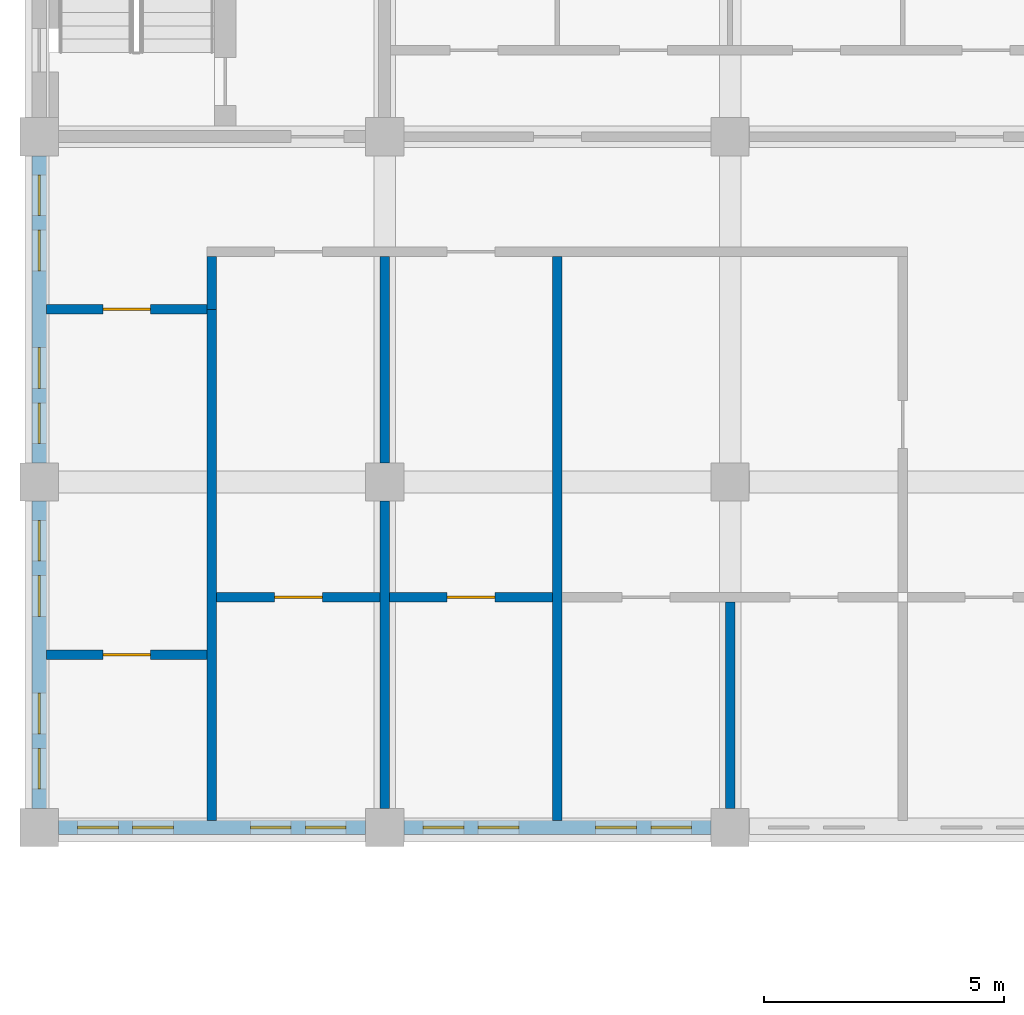
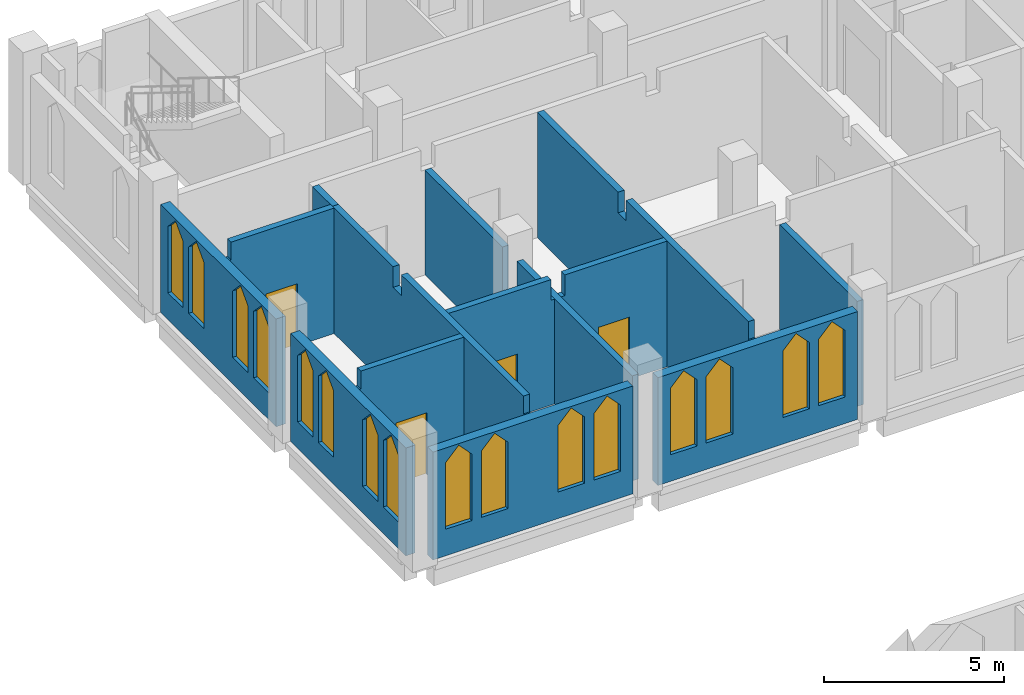
# One storey, part 5 of 11: 16 windows, 14 walls, 4 doors, 20 openings.
"""IFC4 building model written with IfcOpenShell, lengths in metres."""

from ifc_helpers import new_model, si_unit, direction, frame, frame_2d, origin, place, context, subcontext, project, spatial, polyline, rectangle, outline, extrude, material, layer, layer_set, type_object, element, fill, save


model = new_model("IFC4")

# Units and contexts
model_context = context("Model", 3, precision=1e-05, world=origin(), true_north=direction((0.0, 1.0)))
body_context = subcontext(model_context, "Body", "Model", "MODEL_VIEW")
ifc_project = project(units=[si_unit("LENGTHUNIT", "METRE"), si_unit("AREAUNIT", "SQUARE_METRE"), si_unit("VOLUMEUNIT", "CUBIC_METRE"), si_unit("PLANEANGLEUNIT", "RADIAN"), si_unit("MASSUNIT", "GRAM", prefix="KILO")], contexts=[model_context])

# Site, building, storey
site_placement = place(None, origin())
site = spatial("IfcSite", under=ifc_project, at=site_placement, CompositionType="ELEMENT")
building_placement = place(site_placement, origin())
building = spatial("IfcBuilding", under=site, at=building_placement, Name="Silangan Lancet Faculty of Sciences", CompositionType="ELEMENT")
storey_placement = place(building_placement, frame((0.0, 0.0, 45.300048828125)))
storey = spatial("IfcBuildingStorey", under=building, at=storey_placement, Name="L09", CompositionType="ELEMENT", Elevation=45.300048828125)

# Wall, openings, windows
ifc_material_1 = material(Name="Concrete C40/50 precast", Category="concrete")
ifc_layer_1 = layer(ifc_material_1, 0.300048828125)
ifc_layer_set_1 = layer_set([ifc_layer_1], Name="Concrete C40/50 precast")
wall_type_1 = type_object("IfcWallType", Name="EW1 Precast cladding wall", PredefinedType="STANDARD", material=ifc_layer_set_1)
wall_1_placement = place(storey_placement, frame((0.0, 36.39990234375, 0.0), z_axis=(0.0, 0.0, 1.0), x_axis=(0.0, 1.0, 0.0)))
wall_1 = element("IfcWall", 1, at=wall_1_placement, inside=storey, type_object=wall_type_1, Name="EW-L09-W-NT-00", PredefinedType="STANDARD", context=body_context, shape_type="SweptSolid", body=[
    extrude(rectangle(XDim=6.400146484375, YDim=0.300048828125, at=frame_2d((3.2001953125, 0.0))), origin(), (0.0, 0.0, 1.0), 3.64990234375),
])
opening_1_placement = place(wall_1_placement, frame((0.39990234375, 0.0, 0.89990234375)))
opening_1 = element("IfcOpeningElement", 2, at=opening_1_placement, cuts=wall_1, Name="Opening W21", PredefinedType="OPENING", context=body_context, shape_type="SweptSolid", body=[
    extrude(outline(polyline([(0.0, 0.0), (0.85009765625, 0.0), (0.85009765625, 2.25), (0.425048828125, 2.699951171875), (0.0, 2.25), (0.0, 0.0)])), frame((0.0, 0.159912109375, 0.0), z_axis=(0.0, -1.0, 0.0), x_axis=(1.0, 0.0, 0.0)), (0.0, 0.0, 1.0), 0.320068359375),
])
opening_2_placement = place(wall_1_placement, frame((1.550048828125, 0.0, 0.89990234375)))
opening_2 = element("IfcOpeningElement", 3, at=opening_2_placement, cuts=wall_1, Name="Opening W21", PredefinedType="OPENING", context=body_context, shape_type="SweptSolid", body=[
    extrude(outline(polyline([(0.0, 0.0), (0.85009765625, 0.0), (0.85009765625, 2.25), (0.425048828125, 2.699951171875), (0.0, 2.25), (0.0, 0.0)])), frame((0.0, 0.159912109375, 0.0), z_axis=(0.0, -1.0, 0.0), x_axis=(1.0, 0.0, 0.0)), (0.0, 0.0, 1.0), 0.320068359375),
])
opening_3_placement = place(wall_1_placement, frame((4.0, 0.0, 0.89990234375)))
opening_3 = element("IfcOpeningElement", 4, at=opening_3_placement, cuts=wall_1, Name="Opening W21", PredefinedType="OPENING", context=body_context, shape_type="SweptSolid", body=[
    extrude(outline(polyline([(0.0, 0.0), (0.85009765625, 0.0), (0.85009765625, 2.25), (0.425048828125, 2.699951171875), (0.0, 2.25), (0.0, 0.0)])), frame((0.0, 0.159912109375, 0.0), z_axis=(0.0, -1.0, 0.0), x_axis=(1.0, 0.0, 0.0)), (0.0, 0.0, 1.0), 0.320068359375),
])
opening_4_placement = place(wall_1_placement, frame((5.14990234375, 0.0, 0.89990234375)))
opening_4 = element("IfcOpeningElement", 5, at=opening_4_placement, cuts=wall_1, Name="Opening W21", PredefinedType="OPENING", context=body_context, shape_type="SweptSolid", body=[
    extrude(outline(polyline([(0.0, 0.0), (0.85009765625, 0.0), (0.85009765625, 2.25), (0.425048828125, 2.699951171875), (0.0, 2.25), (0.0, 0.0)])), frame((0.0, 0.159912109375, 0.0), z_axis=(0.0, -1.0, 0.0), x_axis=(1.0, 0.0, 0.0)), (0.0, 0.0, 1.0), 0.320068359375),
])
ifc_material_2 = material(Name="Aluminium frame, laminated double glazing", Category="aluminium")
window_type = type_object("IfcWindowType", Name="W21 Lancet window 850 x 2700", PartitioningType="SINGLE_PANEL", PredefinedType="WINDOW", material=ifc_material_2)
window_1_placement = place(opening_1_placement, origin())
window_1 = element("IfcWindow", 6, at=window_1_placement, inside=storey, type_object=window_type, Name="WIN-L09-W-NT-00a1", OverallHeight=2.699951171875, OverallWidth=0.85009765625, PartitioningType="SINGLE_PANEL", PredefinedType="WINDOW", context=body_context, shape_type="SweptSolid", body=[
    extrude(outline(polyline([(0.0, 0.0), (0.85009765625, 0.0), (0.85009765625, 2.25), (0.425048828125, 2.699951171875), (0.0, 2.25), (0.0, 0.0)])), frame((0.0, 0.030029296875, 0.0), z_axis=(0.0, -1.0, 0.0), x_axis=(1.0, 0.0, 0.0)), (0.0, 0.0, 1.0), 0.06005859375),
])
fill(opening_1, window_1)
window_2_placement = place(opening_2_placement, origin())
window_2 = element("IfcWindow", 7, at=window_2_placement, inside=storey, type_object=window_type, Name="WIN-L09-W-NT-00a2", OverallHeight=2.699951171875, OverallWidth=0.85009765625, PartitioningType="SINGLE_PANEL", PredefinedType="WINDOW", context=body_context, shape_type="SweptSolid", body=[
    extrude(outline(polyline([(0.0, 0.0), (0.85009765625, 0.0), (0.85009765625, 2.25), (0.425048828125, 2.699951171875), (0.0, 2.25), (0.0, 0.0)])), frame((0.0, 0.030029296875, 0.0), z_axis=(0.0, -1.0, 0.0), x_axis=(1.0, 0.0, 0.0)), (0.0, 0.0, 1.0), 0.06005859375),
])
fill(opening_2, window_2)
window_3_placement = place(opening_3_placement, origin())
window_3 = element("IfcWindow", 8, at=window_3_placement, inside=storey, type_object=window_type, Name="WIN-L09-W-NT-00b1", OverallHeight=2.699951171875, OverallWidth=0.85009765625, PartitioningType="SINGLE_PANEL", PredefinedType="WINDOW", context=body_context, shape_type="SweptSolid", body=[
    extrude(outline(polyline([(0.0, 0.0), (0.85009765625, 0.0), (0.85009765625, 2.25), (0.425048828125, 2.699951171875), (0.0, 2.25), (0.0, 0.0)])), frame((0.0, 0.030029296875, 0.0), z_axis=(0.0, -1.0, 0.0), x_axis=(1.0, 0.0, 0.0)), (0.0, 0.0, 1.0), 0.06005859375),
])
fill(opening_3, window_3)
window_4_placement = place(opening_4_placement, origin())
window_4 = element("IfcWindow", 9, at=window_4_placement, inside=storey, type_object=window_type, Name="WIN-L09-W-NT-00b2", OverallHeight=2.699951171875, OverallWidth=0.85009765625, PartitioningType="SINGLE_PANEL", PredefinedType="WINDOW", context=body_context, shape_type="SweptSolid", body=[
    extrude(outline(polyline([(0.0, 0.0), (0.85009765625, 0.0), (0.85009765625, 2.25), (0.425048828125, 2.699951171875), (0.0, 2.25), (0.0, 0.0)])), frame((0.0, 0.030029296875, 0.0), z_axis=(0.0, -1.0, 0.0), x_axis=(1.0, 0.0, 0.0)), (0.0, 0.0, 1.0), 0.06005859375),
])
fill(opening_4, window_4)

wall_2_placement = place(storey_placement, frame((0.0, 43.60009765625, 0.0), z_axis=(0.0, 0.0, 1.0), x_axis=(0.0, 1.0, 0.0)))
wall_2 = element("IfcWall", 10, at=wall_2_placement, inside=storey, type_object=wall_type_1, Name="EW-L09-W-NT-01", PredefinedType="STANDARD", context=body_context, shape_type="SweptSolid", body=[
    extrude(rectangle(XDim=6.39990234375, YDim=0.300048828125, at=frame_2d((3.199951171875, 0.0))), origin(), (0.0, 0.0, 1.0), 3.64990234375),
])
opening_5_placement = place(wall_2_placement, frame((0.39990234375, 0.0, 0.89990234375)))
opening_5 = element("IfcOpeningElement", 11, at=opening_5_placement, cuts=wall_2, Name="Opening W21", PredefinedType="OPENING", context=body_context, shape_type="SweptSolid", body=[
    extrude(outline(polyline([(0.0, 0.0), (0.85009765625, 0.0), (0.85009765625, 2.25), (0.425048828125, 2.699951171875), (0.0, 2.25), (0.0, 0.0)])), frame((0.0, 0.159912109375, 0.0), z_axis=(0.0, -1.0, 0.0), x_axis=(1.0, 0.0, 0.0)), (0.0, 0.0, 1.0), 0.320068359375),
])
opening_6_placement = place(wall_2_placement, frame((1.550048828125, 0.0, 0.89990234375)))
opening_6 = element("IfcOpeningElement", 12, at=opening_6_placement, cuts=wall_2, Name="Opening W21", PredefinedType="OPENING", context=body_context, shape_type="SweptSolid", body=[
    extrude(outline(polyline([(0.0, 0.0), (0.85009765625, 0.0), (0.85009765625, 2.25), (0.425048828125, 2.699951171875), (0.0, 2.25), (0.0, 0.0)])), frame((0.0, 0.159912109375, 0.0), z_axis=(0.0, -1.0, 0.0), x_axis=(1.0, 0.0, 0.0)), (0.0, 0.0, 1.0), 0.320068359375),
])
opening_7_placement = place(wall_2_placement, frame((4.0, 0.0, 0.89990234375)))
opening_7 = element("IfcOpeningElement", 13, at=opening_7_placement, cuts=wall_2, Name="Opening W21", PredefinedType="OPENING", context=body_context, shape_type="SweptSolid", body=[
    extrude(outline(polyline([(0.0, 0.0), (0.85009765625, 0.0), (0.85009765625, 2.25), (0.425048828125, 2.699951171875), (0.0, 2.25), (0.0, 0.0)])), frame((0.0, 0.159912109375, 0.0), z_axis=(0.0, -1.0, 0.0), x_axis=(1.0, 0.0, 0.0)), (0.0, 0.0, 1.0), 0.320068359375),
])
opening_8_placement = place(wall_2_placement, frame((5.14990234375, 0.0, 0.89990234375)))
opening_8 = element("IfcOpeningElement", 14, at=opening_8_placement, cuts=wall_2, Name="Opening W21", PredefinedType="OPENING", context=body_context, shape_type="SweptSolid", body=[
    extrude(outline(polyline([(0.0, 0.0), (0.85009765625, 0.0), (0.85009765625, 2.25), (0.425048828125, 2.699951171875), (0.0, 2.25), (0.0, 0.0)])), frame((0.0, 0.159912109375, 0.0), z_axis=(0.0, -1.0, 0.0), x_axis=(1.0, 0.0, 0.0)), (0.0, 0.0, 1.0), 0.320068359375),
])
window_5_placement = place(opening_5_placement, origin())
window_5 = element("IfcWindow", 15, at=window_5_placement, inside=storey, type_object=window_type, Name="WIN-L09-W-NT-01a1", OverallHeight=2.699951171875, OverallWidth=0.85009765625, PartitioningType="SINGLE_PANEL", PredefinedType="WINDOW", context=body_context, shape_type="SweptSolid", body=[
    extrude(outline(polyline([(0.0, 0.0), (0.85009765625, 0.0), (0.85009765625, 2.25), (0.425048828125, 2.699951171875), (0.0, 2.25), (0.0, 0.0)])), frame((0.0, 0.030029296875, 0.0), z_axis=(0.0, -1.0, 0.0), x_axis=(1.0, 0.0, 0.0)), (0.0, 0.0, 1.0), 0.06005859375),
])
fill(opening_5, window_5)
window_6_placement = place(opening_6_placement, origin())
window_6 = element("IfcWindow", 16, at=window_6_placement, inside=storey, type_object=window_type, Name="WIN-L09-W-NT-01a2", OverallHeight=2.699951171875, OverallWidth=0.85009765625, PartitioningType="SINGLE_PANEL", PredefinedType="WINDOW", context=body_context, shape_type="SweptSolid", body=[
    extrude(outline(polyline([(0.0, 0.0), (0.85009765625, 0.0), (0.85009765625, 2.25), (0.425048828125, 2.699951171875), (0.0, 2.25), (0.0, 0.0)])), frame((0.0, 0.030029296875, 0.0), z_axis=(0.0, -1.0, 0.0), x_axis=(1.0, 0.0, 0.0)), (0.0, 0.0, 1.0), 0.06005859375),
])
fill(opening_6, window_6)
window_7_placement = place(opening_7_placement, origin())
window_7 = element("IfcWindow", 17, at=window_7_placement, inside=storey, type_object=window_type, Name="WIN-L09-W-NT-01b1", OverallHeight=2.699951171875, OverallWidth=0.85009765625, PartitioningType="SINGLE_PANEL", PredefinedType="WINDOW", context=body_context, shape_type="SweptSolid", body=[
    extrude(outline(polyline([(0.0, 0.0), (0.85009765625, 0.0), (0.85009765625, 2.25), (0.425048828125, 2.699951171875), (0.0, 2.25), (0.0, 0.0)])), frame((0.0, 0.030029296875, 0.0), z_axis=(0.0, -1.0, 0.0), x_axis=(1.0, 0.0, 0.0)), (0.0, 0.0, 1.0), 0.06005859375),
])
fill(opening_7, window_7)
window_8_placement = place(opening_8_placement, origin())
window_8 = element("IfcWindow", 18, at=window_8_placement, inside=storey, type_object=window_type, Name="WIN-L09-W-NT-01b2", OverallHeight=2.699951171875, OverallWidth=0.85009765625, PartitioningType="SINGLE_PANEL", PredefinedType="WINDOW", context=body_context, shape_type="SweptSolid", body=[
    extrude(outline(polyline([(0.0, 0.0), (0.85009765625, 0.0), (0.85009765625, 2.25), (0.425048828125, 2.699951171875), (0.0, 2.25), (0.0, 0.0)])), frame((0.0, 0.030029296875, 0.0), z_axis=(0.0, -1.0, 0.0), x_axis=(1.0, 0.0, 0.0)), (0.0, 0.0, 1.0), 0.06005859375),
])
fill(opening_8, window_8)

wall_3_placement = place(storey_placement, frame((0.39990234375, 36.0, 0.0), z_axis=(0.0, 0.0, 1.0), x_axis=(1.0, 0.0, 0.0)))
wall_3 = element("IfcWall", 19, at=wall_3_placement, inside=storey, type_object=wall_type_1, Name="EW-L09-S-NT-00", PredefinedType="STANDARD", context=body_context, shape_type="SweptSolid", body=[
    extrude(rectangle(XDim=6.400146484375, YDim=0.300048828125, at=frame_2d((3.2001953125, 0.0))), origin(), (0.0, 0.0, 1.0), 3.64990234375),
])
opening_9_placement = place(wall_3_placement, frame((0.39990234375, 0.0, 0.89990234375)))
opening_9 = element("IfcOpeningElement", 20, at=opening_9_placement, cuts=wall_3, Name="Opening W21", PredefinedType="OPENING", context=body_context, shape_type="SweptSolid", body=[
    extrude(outline(polyline([(0.0, 0.0), (0.85009765625, 0.0), (0.85009765625, 2.25), (0.425048828125, 2.699951171875), (0.0, 2.25), (0.0, 0.0)])), frame((0.0, 0.159912109375, 0.0), z_axis=(0.0, -1.0, 0.0), x_axis=(1.0, 0.0, 0.0)), (0.0, 0.0, 1.0), 0.320068359375),
])
opening_10_placement = place(wall_3_placement, frame((1.550048828125, 0.0, 0.89990234375)))
opening_10 = element("IfcOpeningElement", 21, at=opening_10_placement, cuts=wall_3, Name="Opening W21", PredefinedType="OPENING", context=body_context, shape_type="SweptSolid", body=[
    extrude(outline(polyline([(0.0, 0.0), (0.85009765625, 0.0), (0.85009765625, 2.25), (0.425048828125, 2.699951171875), (0.0, 2.25), (0.0, 0.0)])), frame((0.0, 0.159912109375, 0.0), z_axis=(0.0, -1.0, 0.0), x_axis=(1.0, 0.0, 0.0)), (0.0, 0.0, 1.0), 0.320068359375),
])
opening_11_placement = place(wall_3_placement, frame((4.0, 0.0, 0.89990234375)))
opening_11 = element("IfcOpeningElement", 22, at=opening_11_placement, cuts=wall_3, Name="Opening W21", PredefinedType="OPENING", context=body_context, shape_type="SweptSolid", body=[
    extrude(outline(polyline([(0.0, 0.0), (0.85009765625, 0.0), (0.85009765625, 2.25), (0.425048828125, 2.699951171875), (0.0, 2.25), (0.0, 0.0)])), frame((0.0, 0.159912109375, 0.0), z_axis=(0.0, -1.0, 0.0), x_axis=(1.0, 0.0, 0.0)), (0.0, 0.0, 1.0), 0.320068359375),
])
opening_12_placement = place(wall_3_placement, frame((5.14990234375, 0.0, 0.89990234375)))
opening_12 = element("IfcOpeningElement", 23, at=opening_12_placement, cuts=wall_3, Name="Opening W21", PredefinedType="OPENING", context=body_context, shape_type="SweptSolid", body=[
    extrude(outline(polyline([(0.0, 0.0), (0.85009765625, 0.0), (0.85009765625, 2.25), (0.425048828125, 2.699951171875), (0.0, 2.25), (0.0, 0.0)])), frame((0.0, 0.159912109375, 0.0), z_axis=(0.0, -1.0, 0.0), x_axis=(1.0, 0.0, 0.0)), (0.0, 0.0, 1.0), 0.320068359375),
])
window_9_placement = place(opening_9_placement, origin())
window_9 = element("IfcWindow", 24, at=window_9_placement, inside=storey, type_object=window_type, Name="WIN-L09-S-NT-00a1", OverallHeight=2.699951171875, OverallWidth=0.85009765625, PartitioningType="SINGLE_PANEL", PredefinedType="WINDOW", context=body_context, shape_type="SweptSolid", body=[
    extrude(outline(polyline([(0.0, 0.0), (0.85009765625, 0.0), (0.85009765625, 2.25), (0.425048828125, 2.699951171875), (0.0, 2.25), (0.0, 0.0)])), frame((0.0, 0.030029296875, 0.0), z_axis=(0.0, -1.0, 0.0), x_axis=(1.0, 0.0, 0.0)), (0.0, 0.0, 1.0), 0.06005859375),
])
fill(opening_9, window_9)
window_10_placement = place(opening_10_placement, origin())
window_10 = element("IfcWindow", 25, at=window_10_placement, inside=storey, type_object=window_type, Name="WIN-L09-S-NT-00a2", OverallHeight=2.699951171875, OverallWidth=0.85009765625, PartitioningType="SINGLE_PANEL", PredefinedType="WINDOW", context=body_context, shape_type="SweptSolid", body=[
    extrude(outline(polyline([(0.0, 0.0), (0.85009765625, 0.0), (0.85009765625, 2.25), (0.425048828125, 2.699951171875), (0.0, 2.25), (0.0, 0.0)])), frame((0.0, 0.030029296875, 0.0), z_axis=(0.0, -1.0, 0.0), x_axis=(1.0, 0.0, 0.0)), (0.0, 0.0, 1.0), 0.06005859375),
])
fill(opening_10, window_10)
window_11_placement = place(opening_11_placement, origin())
window_11 = element("IfcWindow", 26, at=window_11_placement, inside=storey, type_object=window_type, Name="WIN-L09-S-NT-00b1", OverallHeight=2.699951171875, OverallWidth=0.85009765625, PartitioningType="SINGLE_PANEL", PredefinedType="WINDOW", context=body_context, shape_type="SweptSolid", body=[
    extrude(outline(polyline([(0.0, 0.0), (0.85009765625, 0.0), (0.85009765625, 2.25), (0.425048828125, 2.699951171875), (0.0, 2.25), (0.0, 0.0)])), frame((0.0, 0.030029296875, 0.0), z_axis=(0.0, -1.0, 0.0), x_axis=(1.0, 0.0, 0.0)), (0.0, 0.0, 1.0), 0.06005859375),
])
fill(opening_11, window_11)
window_12_placement = place(opening_12_placement, origin())
window_12 = element("IfcWindow", 27, at=window_12_placement, inside=storey, type_object=window_type, Name="WIN-L09-S-NT-00b2", OverallHeight=2.699951171875, OverallWidth=0.85009765625, PartitioningType="SINGLE_PANEL", PredefinedType="WINDOW", context=body_context, shape_type="SweptSolid", body=[
    extrude(outline(polyline([(0.0, 0.0), (0.85009765625, 0.0), (0.85009765625, 2.25), (0.425048828125, 2.699951171875), (0.0, 2.25), (0.0, 0.0)])), frame((0.0, 0.030029296875, 0.0), z_axis=(0.0, -1.0, 0.0), x_axis=(1.0, 0.0, 0.0)), (0.0, 0.0, 1.0), 0.06005859375),
])
fill(opening_12, window_12)

wall_4_placement = place(storey_placement, frame((7.60009765625, 36.0, 0.0), z_axis=(0.0, 0.0, 1.0), x_axis=(1.0, 0.0, 0.0)))
wall_4 = element("IfcWall", 28, at=wall_4_placement, inside=storey, type_object=wall_type_1, Name="EW-L09-S-NT-01", PredefinedType="STANDARD", context=body_context, shape_type="SweptSolid", body=[
    extrude(rectangle(XDim=6.39990234375, YDim=0.300048828125, at=frame_2d((3.199951171875, 0.0))), origin(), (0.0, 0.0, 1.0), 3.64990234375),
])
opening_13_placement = place(wall_4_placement, frame((0.39990234375, 0.0, 0.89990234375)))
opening_13 = element("IfcOpeningElement", 29, at=opening_13_placement, cuts=wall_4, Name="Opening W21", PredefinedType="OPENING", context=body_context, shape_type="SweptSolid", body=[
    extrude(outline(polyline([(0.0, 0.0), (0.85009765625, 0.0), (0.85009765625, 2.25), (0.425048828125, 2.699951171875), (0.0, 2.25), (0.0, 0.0)])), frame((0.0, 0.159912109375, 0.0), z_axis=(0.0, -1.0, 0.0), x_axis=(1.0, 0.0, 0.0)), (0.0, 0.0, 1.0), 0.320068359375),
])
opening_14_placement = place(wall_4_placement, frame((1.550048828125, 0.0, 0.89990234375)))
opening_14 = element("IfcOpeningElement", 30, at=opening_14_placement, cuts=wall_4, Name="Opening W21", PredefinedType="OPENING", context=body_context, shape_type="SweptSolid", body=[
    extrude(outline(polyline([(0.0, 0.0), (0.85009765625, 0.0), (0.85009765625, 2.25), (0.425048828125, 2.699951171875), (0.0, 2.25), (0.0, 0.0)])), frame((0.0, 0.159912109375, 0.0), z_axis=(0.0, -1.0, 0.0), x_axis=(1.0, 0.0, 0.0)), (0.0, 0.0, 1.0), 0.320068359375),
])
opening_15_placement = place(wall_4_placement, frame((4.0, 0.0, 0.89990234375)))
opening_15 = element("IfcOpeningElement", 31, at=opening_15_placement, cuts=wall_4, Name="Opening W21", PredefinedType="OPENING", context=body_context, shape_type="SweptSolid", body=[
    extrude(outline(polyline([(0.0, 0.0), (0.85009765625, 0.0), (0.85009765625, 2.25), (0.425048828125, 2.699951171875), (0.0, 2.25), (0.0, 0.0)])), frame((0.0, 0.159912109375, 0.0), z_axis=(0.0, -1.0, 0.0), x_axis=(1.0, 0.0, 0.0)), (0.0, 0.0, 1.0), 0.320068359375),
])
opening_16_placement = place(wall_4_placement, frame((5.14990234375, 0.0, 0.89990234375)))
opening_16 = element("IfcOpeningElement", 32, at=opening_16_placement, cuts=wall_4, Name="Opening W21", PredefinedType="OPENING", context=body_context, shape_type="SweptSolid", body=[
    extrude(outline(polyline([(0.0, 0.0), (0.85009765625, 0.0), (0.85009765625, 2.25), (0.425048828125, 2.699951171875), (0.0, 2.25), (0.0, 0.0)])), frame((0.0, 0.159912109375, 0.0), z_axis=(0.0, -1.0, 0.0), x_axis=(1.0, 0.0, 0.0)), (0.0, 0.0, 1.0), 0.320068359375),
])
window_13_placement = place(opening_13_placement, origin())
window_13 = element("IfcWindow", 33, at=window_13_placement, inside=storey, type_object=window_type, Name="WIN-L09-S-NT-01a1", OverallHeight=2.699951171875, OverallWidth=0.85009765625, PartitioningType="SINGLE_PANEL", PredefinedType="WINDOW", context=body_context, shape_type="SweptSolid", body=[
    extrude(outline(polyline([(0.0, 0.0), (0.85009765625, 0.0), (0.85009765625, 2.25), (0.425048828125, 2.699951171875), (0.0, 2.25), (0.0, 0.0)])), frame((0.0, 0.030029296875, 0.0), z_axis=(0.0, -1.0, 0.0), x_axis=(1.0, 0.0, 0.0)), (0.0, 0.0, 1.0), 0.06005859375),
])
fill(opening_13, window_13)
window_14_placement = place(opening_14_placement, origin())
window_14 = element("IfcWindow", 34, at=window_14_placement, inside=storey, type_object=window_type, Name="WIN-L09-S-NT-01a2", OverallHeight=2.699951171875, OverallWidth=0.85009765625, PartitioningType="SINGLE_PANEL", PredefinedType="WINDOW", context=body_context, shape_type="SweptSolid", body=[
    extrude(outline(polyline([(0.0, 0.0), (0.85009765625, 0.0), (0.85009765625, 2.25), (0.425048828125, 2.699951171875), (0.0, 2.25), (0.0, 0.0)])), frame((0.0, 0.030029296875, 0.0), z_axis=(0.0, -1.0, 0.0), x_axis=(1.0, 0.0, 0.0)), (0.0, 0.0, 1.0), 0.06005859375),
])
fill(opening_14, window_14)
window_15_placement = place(opening_15_placement, origin())
window_15 = element("IfcWindow", 35, at=window_15_placement, inside=storey, type_object=window_type, Name="WIN-L09-S-NT-01b1", OverallHeight=2.699951171875, OverallWidth=0.85009765625, PartitioningType="SINGLE_PANEL", PredefinedType="WINDOW", context=body_context, shape_type="SweptSolid", body=[
    extrude(outline(polyline([(0.0, 0.0), (0.85009765625, 0.0), (0.85009765625, 2.25), (0.425048828125, 2.699951171875), (0.0, 2.25), (0.0, 0.0)])), frame((0.0, 0.030029296875, 0.0), z_axis=(0.0, -1.0, 0.0), x_axis=(1.0, 0.0, 0.0)), (0.0, 0.0, 1.0), 0.06005859375),
])
fill(opening_15, window_15)
window_16_placement = place(opening_16_placement, origin())
window_16 = element("IfcWindow", 36, at=window_16_placement, inside=storey, type_object=window_type, Name="WIN-L09-S-NT-01b2", OverallHeight=2.699951171875, OverallWidth=0.85009765625, PartitioningType="SINGLE_PANEL", PredefinedType="WINDOW", context=body_context, shape_type="SweptSolid", body=[
    extrude(outline(polyline([(0.0, 0.0), (0.85009765625, 0.0), (0.85009765625, 2.25), (0.425048828125, 2.699951171875), (0.0, 2.25), (0.0, 0.0)])), frame((0.0, 0.030029296875, 0.0), z_axis=(0.0, -1.0, 0.0), x_axis=(1.0, 0.0, 0.0)), (0.0, 0.0, 1.0), 0.06005859375),
])
fill(opening_16, window_16)

# Wall, opening, door
ifc_material_3 = material(Name="Hollow block masonry fm 7 MPa", Category="masonry")
ifc_layer_2 = layer(ifc_material_3, 0.199951171875)
ifc_layer_set_2 = layer_set([ifc_layer_2], Name="Hollow block masonry fm 7 MPa")
wall_type_2 = type_object("IfcWallType", Name="Interior wall PW1 Corridor wall CHB 200", PredefinedType="PARTITIONING", material=ifc_layer_set_2)
wall_5_placement = place(storey_placement, frame((0.14990234375, 46.800048828125, 0.0), z_axis=(0.0, 0.0, 1.0), x_axis=(1.0, 0.0, 0.0)))
wall_5 = element("IfcWall", 37, at=wall_5_placement, inside=storey, type_object=wall_type_2, Name="Corridor wall CHB 200", PredefinedType="PARTITIONING", context=body_context, shape_type="SweptSolid", body=[
    extrude(outline(polyline([(0.0, 0.0), (3.35009765625, 0.0), (3.35009765625, 4.25), (0.050048828125, 4.25), (0.050048828125, 3.64990234375), (0.0, 3.64990234375), (0.0, 0.0)])), frame((0.0, 0.10009765625, 0.0), z_axis=(0.0, -1.0, 0.0), x_axis=(1.0, 0.0, 0.0)), (0.0, 0.0, 1.0), 0.199951171875),
])
opening_17_placement = place(wall_5_placement, frame((1.175048828125, 0.0, 0.0)))
opening_17 = element("IfcOpeningElement", 38, at=opening_17_placement, cuts=wall_5, Name="Opening L09-024", PredefinedType="OPENING", context=body_context, shape_type="SweptSolid", body=[
    extrude(rectangle(XDim=1.0, YDim=2.10009765625, at=frame_2d((0.5, 1.050048828125))), frame((0.0, 0.10986328125, 0.0), z_axis=(0.0, -1.0, 0.0), x_axis=(1.0, 0.0, 0.0)), (0.0, 0.0, 1.0), 0.219970703125),
])
ifc_material_4 = material(Name="Steel fire door set", Category="steel")
door_type = type_object("IfcDoorType", Name="Door D1 Single leaf fire door 1000 x 2100", OperationType="SINGLE_SWING_LEFT", PredefinedType="DOOR", material=ifc_material_4)
door_1_placement = place(opening_17_placement, frame((1.0, 0.0, 0.0), z_axis=(0.0, 0.0, 1.0), x_axis=(-1.0, 0.0, 0.0)))
door_1 = element("IfcDoor", 39, at=door_1_placement, inside=storey, type_object=door_type, Name="Single leaf fire door 1000 x 2100", OperationType="SINGLE_SWING_LEFT", OverallHeight=2.10009765625, OverallWidth=1.0, PredefinedType="DOOR", context=body_context, shape_type="SweptSolid", body=[
    extrude(rectangle(XDim=1.0, YDim=2.10009765625, at=frame_2d((0.5, 1.050048828125))), frame((0.0, 0.025146484375, 0.0), z_axis=(0.0, -1.0, 0.0), x_axis=(1.0, 0.0, 0.0)), (0.0, 0.0, 1.0), 0.050048828125),
])
fill(opening_17, door_1)

# Wall
wall_6_placement = place(storey_placement, frame((3.60009765625, 46.800048828125, 0.0), z_axis=(0.0, 0.0, 1.0), x_axis=(0.0, 1.0, 0.0)))
element("IfcWall", 40, at=wall_6_placement, inside=storey, type_object=wall_type_2, Name="Corridor wall CHB 200", PredefinedType="PARTITIONING", context=body_context, shape_type="SweptSolid", body=[
    extrude(rectangle(XDim=1.099853515625, YDim=0.199951171875, at=frame_2d((0.5498046875, 0.0))), origin(), (0.0, 0.0, 1.0), 4.25),
])

# Wall, opening, door
ifc_material_5 = material(Name="Hollow block masonry fm 7 MPa", Category="masonry")
ifc_layer_3 = layer(ifc_material_5, 0.199951171875)
ifc_layer_set_3 = layer_set([ifc_layer_3], Name="Hollow block masonry fm 7 MPa")
wall_type_3 = type_object("IfcWallType", Name="Interior wall PW4 Laboratory separation CHB 200", PredefinedType="PARTITIONING", material=ifc_layer_set_3)
wall_7_placement = place(storey_placement, frame((0.14990234375, 39.60009765625, 0.0), z_axis=(0.0, 0.0, 1.0), x_axis=(1.0, 0.0, 0.0)))
wall_7 = element("IfcWall", 41, at=wall_7_placement, inside=storey, type_object=wall_type_3, Name="Laboratory separation CHB 200", PredefinedType="PARTITIONING", context=body_context, shape_type="SweptSolid", body=[
    extrude(outline(polyline([(0.0, 0.0), (3.35009765625, 0.0), (3.35009765625, 4.25), (0.050048828125, 4.25), (0.050048828125, 3.64990234375), (0.0, 3.64990234375), (0.0, 0.0)])), frame((0.0, 0.10009765625, 0.0), z_axis=(0.0, -1.0, 0.0), x_axis=(1.0, 0.0, 0.0)), (0.0, 0.0, 1.0), 0.199951171875),
])
opening_18_placement = place(wall_7_placement, frame((1.175048828125, 0.0, 0.0)))
opening_18 = element("IfcOpeningElement", 42, at=opening_18_placement, cuts=wall_7, Name="Opening L09-025", PredefinedType="OPENING", context=body_context, shape_type="SweptSolid", body=[
    extrude(rectangle(XDim=1.0, YDim=2.10009765625, at=frame_2d((0.5, 1.050048828125))), frame((0.0, 0.10986328125, 0.0), z_axis=(0.0, -1.0, 0.0), x_axis=(1.0, 0.0, 0.0)), (0.0, 0.0, 1.0), 0.219970703125),
])
door_2_placement = place(opening_18_placement, frame((1.0, 0.0, 0.0), z_axis=(0.0, 0.0, 1.0), x_axis=(-1.0, 0.0, 0.0)))
door_2 = element("IfcDoor", 43, at=door_2_placement, inside=storey, type_object=door_type, Name="Single leaf fire door 1000 x 2100", OperationType="SINGLE_SWING_RIGHT", OverallHeight=2.10009765625, OverallWidth=1.0, PredefinedType="DOOR", context=body_context, shape_type="SweptSolid", body=[
    extrude(rectangle(XDim=1.0, YDim=2.10009765625, at=frame_2d((0.5, 1.050048828125))), frame((0.0, 0.025146484375, 0.0), z_axis=(0.0, -1.0, 0.0), x_axis=(1.0, 0.0, 0.0)), (0.0, 0.0, 1.0), 0.050048828125),
])
fill(opening_18, door_2)

wall_8_placement = place(storey_placement, frame((3.699951171875, 40.800048828125, 0.0), z_axis=(0.0, 0.0, 1.0), x_axis=(1.0, 0.0, 0.0)))
wall_8 = element("IfcWall", 44, at=wall_8_placement, inside=storey, type_object=wall_type_3, Name="Laboratory separation CHB 200", PredefinedType="PARTITIONING", context=body_context, shape_type="SweptSolid", body=[
    extrude(outline(polyline([(0.0, 0.0), (3.400146484375, 0.0), (3.400146484375, 3.550048828125), (3.27490234375, 3.550048828125), (3.27490234375, 4.25), (0.0, 4.25), (0.0, 0.0)])), frame((0.0, 0.10009765625, 0.0), z_axis=(0.0, -1.0, 0.0), x_axis=(1.0, 0.0, 0.0)), (0.0, 0.0, 1.0), 0.199951171875),
])
opening_19_placement = place(wall_8_placement, frame((1.199951171875, 0.0, 0.0)))
opening_19 = element("IfcOpeningElement", 45, at=opening_19_placement, cuts=wall_8, Name="Opening L09-027", PredefinedType="OPENING", context=body_context, shape_type="SweptSolid", body=[
    extrude(rectangle(XDim=1.0, YDim=2.10009765625, at=frame_2d((0.5, 1.050048828125))), frame((0.0, 0.10986328125, 0.0), z_axis=(0.0, -1.0, 0.0), x_axis=(1.0, 0.0, 0.0)), (0.0, 0.0, 1.0), 0.219970703125),
])
door_3_placement = place(opening_19_placement, frame((1.0, 0.0, 0.0), z_axis=(0.0, 0.0, 1.0), x_axis=(-1.0, 0.0, 0.0)))
door_3 = element("IfcDoor", 46, at=door_3_placement, inside=storey, type_object=door_type, Name="Single leaf fire door 1000 x 2100", OperationType="SINGLE_SWING_RIGHT", OverallHeight=2.10009765625, OverallWidth=1.0, PredefinedType="DOOR", context=body_context, shape_type="SweptSolid", body=[
    extrude(rectangle(XDim=1.0, YDim=2.10009765625, at=frame_2d((0.5, 1.050048828125))), frame((0.0, 0.025146484375, 0.0), z_axis=(0.0, -1.0, 0.0), x_axis=(1.0, 0.0, 0.0)), (0.0, 0.0, 1.0), 0.050048828125),
])
fill(opening_19, door_3)

wall_9_placement = place(storey_placement, frame((7.300048828125, 40.800048828125, 0.0), z_axis=(0.0, 0.0, 1.0), x_axis=(1.0, 0.0, 0.0)))
wall_9 = element("IfcWall", 47, at=wall_9_placement, inside=storey, type_object=wall_type_3, Name="Laboratory separation CHB 200", PredefinedType="PARTITIONING", context=body_context, shape_type="SweptSolid", body=[
    extrude(outline(polyline([(0.0, 0.0), (3.39990234375, 0.0), (3.39990234375, 4.25), (0.125, 4.25), (0.125, 3.550048828125), (0.0, 3.550048828125), (0.0, 0.0)])), frame((0.0, 0.10009765625, 0.0), z_axis=(0.0, -1.0, 0.0), x_axis=(1.0, 0.0, 0.0)), (0.0, 0.0, 1.0), 0.199951171875),
])
opening_20_placement = place(wall_9_placement, frame((1.199951171875, 0.0, 0.0)))
opening_20 = element("IfcOpeningElement", 48, at=opening_20_placement, cuts=wall_9, Name="Opening L09-029", PredefinedType="OPENING", context=body_context, shape_type="SweptSolid", body=[
    extrude(rectangle(XDim=1.0, YDim=2.10009765625, at=frame_2d((0.5, 1.050048828125))), frame((0.0, 0.10986328125, 0.0), z_axis=(0.0, -1.0, 0.0), x_axis=(1.0, 0.0, 0.0)), (0.0, 0.0, 1.0), 0.219970703125),
])
door_4_placement = place(opening_20_placement, frame((1.0, 0.0, 0.0), z_axis=(0.0, 0.0, 1.0), x_axis=(-1.0, 0.0, 0.0)))
door_4 = element("IfcDoor", 49, at=door_4_placement, inside=storey, type_object=door_type, Name="Single leaf fire door 1000 x 2100", OperationType="SINGLE_SWING_RIGHT", OverallHeight=2.10009765625, OverallWidth=1.0, PredefinedType="DOOR", context=body_context, shape_type="SweptSolid", body=[
    extrude(rectangle(XDim=1.0, YDim=2.10009765625, at=frame_2d((0.5, 1.050048828125))), frame((0.0, 0.025146484375, 0.0), z_axis=(0.0, -1.0, 0.0), x_axis=(1.0, 0.0, 0.0)), (0.0, 0.0, 1.0), 0.050048828125),
])
fill(opening_20, door_4)

# Walls
wall_10_placement = place(storey_placement, frame((3.60009765625, 36.14990234375, 0.0), z_axis=(0.0, 0.0, 1.0), x_axis=(0.0, 1.0, 0.0)))
element("IfcWall", 50, at=wall_10_placement, inside=storey, type_object=wall_type_3, Name="Laboratory separation CHB 200", PredefinedType="PARTITIONING", context=body_context, shape_type="SweptSolid", body=[
    extrude(outline(polyline([(0.0, 0.0), (10.650146484375, 0.0), (10.650146484375, 4.25), (7.275146484375, 4.25), (7.275146484375, 3.550048828125), (6.8251953125, 3.550048828125), (6.8251953125, 4.25), (0.050048828125, 4.25), (0.050048828125, 3.64990234375), (0.0, 3.64990234375), (0.0, 0.0)])), frame((0.0, 0.10009765625, 0.0), z_axis=(0.0, -1.0, 0.0), x_axis=(1.0, 0.0, 0.0)), (0.0, 0.0, 1.0), 0.199951171875),
])
wall_11_placement = place(storey_placement, frame((7.199951171875, 36.39990234375, 0.0), z_axis=(0.0, 0.0, 1.0), x_axis=(0.0, 1.0, 0.0)))
element("IfcWall", 51, at=wall_11_placement, inside=storey, type_object=wall_type_3, Name="Laboratory separation CHB 200", PredefinedType="PARTITIONING", context=body_context, shape_type="SweptSolid", body=[
    extrude(rectangle(XDim=6.400146484375, YDim=0.199951171875, at=frame_2d((3.2001953125, 0.0))), origin(), (0.0, 0.0, 1.0), 3.550048828125),
])
wall_12_placement = place(storey_placement, frame((7.199951171875, 43.60009765625, 0.0), z_axis=(0.0, 0.0, 1.0), x_axis=(0.0, 1.0, 0.0)))
element("IfcWall", 52, at=wall_12_placement, inside=storey, type_object=wall_type_3, Name="Laboratory separation CHB 200", PredefinedType="PARTITIONING", context=body_context, shape_type="SweptSolid", body=[
    extrude(rectangle(XDim=4.2998046875, YDim=0.199951171875, at=frame_2d((2.14990234375, 0.0))), origin(), (0.0, 0.0, 1.0), 3.550048828125),
])
wall_13_placement = place(storey_placement, frame((10.800048828125, 36.14990234375, 0.0), z_axis=(0.0, 0.0, 1.0), x_axis=(0.0, 1.0, 0.0)))
element("IfcWall", 53, at=wall_13_placement, inside=storey, type_object=wall_type_3, Name="Laboratory separation CHB 200", PredefinedType="PARTITIONING", context=body_context, shape_type="SweptSolid", body=[
    extrude(outline(polyline([(0.0, 0.0), (11.75, 0.0), (11.75, 4.25), (7.275146484375, 4.25), (7.275146484375, 3.550048828125), (6.8251953125, 3.550048828125), (6.8251953125, 4.25), (0.050048828125, 4.25), (0.050048828125, 3.64990234375), (0.0, 3.64990234375), (0.0, 0.0)])), frame((0.0, 0.10009765625, 0.0), z_axis=(0.0, -1.0, 0.0), x_axis=(1.0, 0.0, 0.0)), (0.0, 0.0, 1.0), 0.199951171875),
])
wall_14_placement = place(storey_placement, frame((14.39990234375, 36.39990234375, 0.0), z_axis=(0.0, 0.0, 1.0), x_axis=(0.0, 1.0, 0.0)))
element("IfcWall", 54, at=wall_14_placement, inside=storey, type_object=wall_type_3, Name="Laboratory separation CHB 200", PredefinedType="PARTITIONING", context=body_context, shape_type="SweptSolid", body=[
    extrude(rectangle(XDim=4.300048828125, YDim=0.199951171875, at=frame_2d((2.14990234375, 0.0))), origin(), (0.0, 0.0, 1.0), 3.550048828125),
])

save(model, "model.ifc")
